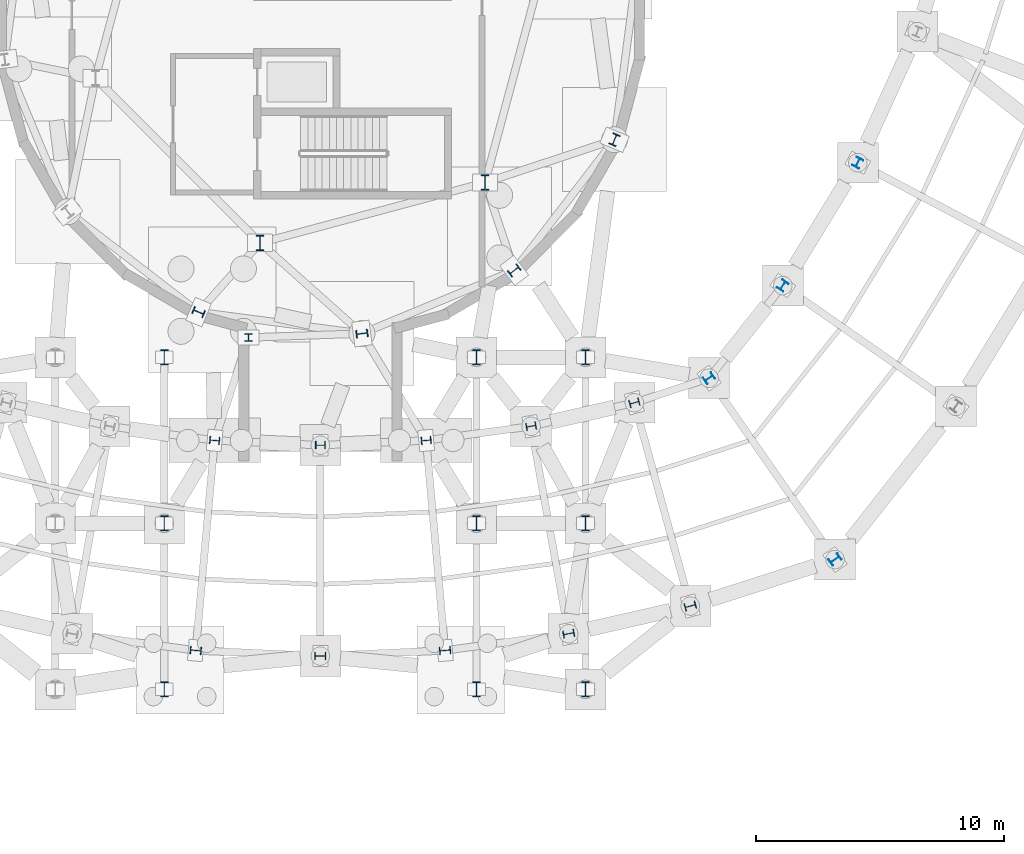
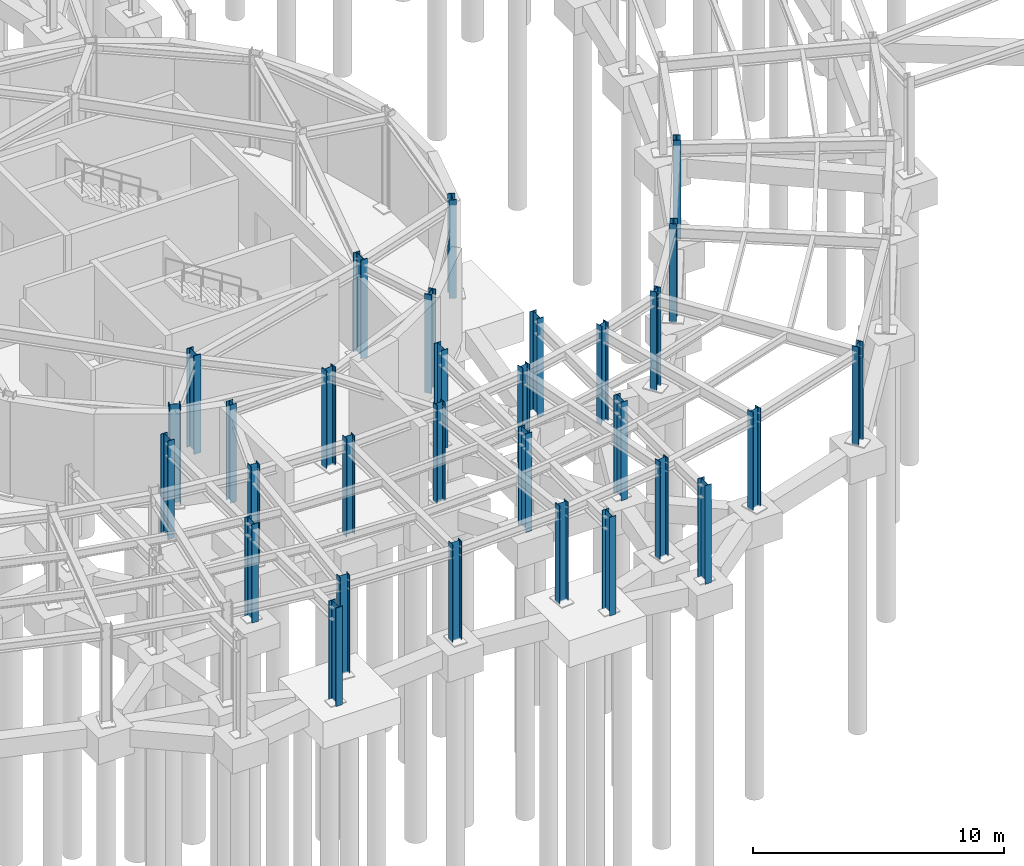
# One storey, part 14 of 50: 30 columns.
"""IFC4 building model written with IfcOpenShell, lengths in metres."""

from ifc_helpers import new_model, si_unit, direction, frame, origin, origin_2d, place, context, subcontext, project, spatial, i_section, extrude, material, material_profile, profile_set, type_object, element, save


model = new_model("IFC4")

# Units and contexts
model_context = context("Model", 3, precision=1e-05, world=origin(), true_north=direction((0.0, 1.0)))
body_context = subcontext(model_context, "Body", "Model", "MODEL_VIEW")
ifc_project = project(units=[si_unit("LENGTHUNIT", "METRE"), si_unit("AREAUNIT", "SQUARE_METRE"), si_unit("VOLUMEUNIT", "CUBIC_METRE"), si_unit("PLANEANGLEUNIT", "RADIAN"), si_unit("MASSUNIT", "GRAM", prefix="KILO")], contexts=[model_context])

# Site, building, storey
site_placement = place(None, origin())
site = spatial("IfcSite", under=ifc_project, at=site_placement, CompositionType="ELEMENT")
building_placement = place(site_placement, origin())
building = spatial("IfcBuilding", under=site, at=building_placement, Name="Varnklinge Art Gallery", CompositionType="ELEMENT")
storey_placement = place(building_placement, frame((0.0, 0.0, -4.800048828125)))
storey = spatial("IfcBuildingStorey", under=building, at=storey_placement, Name="B01", CompositionType="ELEMENT", Elevation=-4.800048828125)

# Columns
ifc_material_1 = material(Name="Steel S355", Category="steel")
ifc_material_profile_1 = material_profile(ifc_material_1, i_section(OverallWidth=0.304931640625, OverallDepth=0.6201171875, WebThickness=0.02099609375, FlangeThickness=0.0400390625, FilletRadius=0.027099609375, at=origin_2d()), Name="HEM 600")
ifc_profile_set_1 = profile_set([ifc_material_profile_1], Name="Steel S355")
column_type_1 = type_object("IfcColumnType", Name="COL-01", PredefinedType="COLUMN", material=ifc_profile_set_1)
for number, where, z_axis, x_axis, name in (
    (1, (73.067138671875, 29.42041015625, 0.0), (0.0, 0.0, 1.0), (1.0, 0.0, 0.0), "B01 Column V4CI-5"),
    (2, (82.146728515625, 31.853271484375, 0.0), (0.0, 0.0, 1.0), (1.0, 0.0, 0.0), "B01 Column V4CI-6"),
):
    element("IfcColumn", number, at=place(storey_placement, frame(where, z_axis=z_axis, x_axis=x_axis)), inside=storey, type_object=column_type_1, Name=name, PredefinedType="COLUMN", context=body_context, shape_type="SweptSolid", body=[
        extrude(i_section(OverallWidth=0.304931640625, OverallDepth=0.6201171875, WebThickness=0.02099609375, FlangeThickness=0.0400390625, FilletRadius=0.027099609375, at=origin_2d()), origin(), (0.0, 0.0, 1.0), 4.800048828125),
    ])
ifc_material_2 = material(Name="Steel S355", Category="steel")
ifc_material_profile_2 = material_profile(ifc_material_2, i_section(OverallWidth=0.306884765625, OverallDepth=0.47802734375, WebThickness=0.02099609375, FlangeThickness=0.0400390625, FilletRadius=0.027099609375, at=origin_2d()), Name="HEM 450")
ifc_profile_set_2 = profile_set([ifc_material_profile_2], Name="Steel S355")
column_type_2 = type_object("IfcColumnType", Name="COL-02", PredefinedType="COLUMN", material=ifc_profile_set_2)
for number, where, z_axis, x_axis, name in (
    (3, (70.58251953125, 26.628173828125, 0.0), (0.0, 0.0, 1.0), (-0.382683432365, -0.923879532511, 0.0), "B01 Column V4CP-09"),
    (4, (77.17724609375, 25.760009765625, 0.0), (0.0, 0.0, 1.0), (0.13052619222, -0.991444861374, 0.0), "B01 Column V4CP-10"),
    (5, (83.322509765625, 28.305419921875, 0.0), (0.0, 0.0, 1.0), (0.608761429009, -0.793353340291, 0.0), "B01 Column V4CP-11"),
    (6, (87.371826171875, 33.58251953125, 0.0), (0.0, 0.0, 1.0), (0.923879532511, -0.382683432365, 0.0), "B01 Column V4CP-12"),
):
    element("IfcColumn", number, at=place(storey_placement, frame(where, z_axis=z_axis, x_axis=x_axis)), inside=storey, type_object=column_type_2, Name=name, PredefinedType="COLUMN", context=body_context, shape_type="SweptSolid", body=[
        extrude(i_section(OverallWidth=0.306884765625, OverallDepth=0.47802734375, WebThickness=0.02099609375, FlangeThickness=0.0400390625, FilletRadius=0.027099609375, at=origin_2d()), origin(), (0.0, 0.0, 1.0), 4.800048828125),
    ])
ifc_material_3 = material(Name="Steel S355", Category="steel")
ifc_material_profile_3 = material_profile(ifc_material_3, i_section(OverallWidth=0.300048828125, OverallDepth=0.60009765625, WebThickness=0.015380859375, FlangeThickness=0.030029296875, FilletRadius=0.027099609375, at=origin_2d()), Name="HEB 600")
ifc_profile_set_3 = profile_set([ifc_material_profile_3], Name="Steel S355")
column_type_3 = type_object("IfcColumnType", Name="COL-04", PredefinedType="COLUMN", material=ifc_profile_set_3)
for number, where, z_axis, x_axis, name in (
    (7, (69.199951171875, 11.39990234375, 0.0), (0.0, 0.0, 1.0), (1.0, 0.0, 0.0), "B01 Column CAN-FC-2"),
    (8, (69.199951171875, 18.10009765625, 0.0), (0.0, 0.0, 1.0), (1.0, 0.0, 0.0), "B01 Column CAN-MB-2"),
    (9, (69.199951171875, 24.800048828125, 0.0), (0.0, 0.0, 1.0), (1.0, 0.0, 0.0), "B01 Column CAN-BK-2"),
    (10, (81.800048828125, 11.39990234375, 0.0), (0.0, 0.0, 1.0), (1.0, 0.0, 0.0), "B01 Column CAN-FC-3"),
    (11, (81.800048828125, 18.10009765625, 0.0), (0.0, 0.0, 1.0), (1.0, 0.0, 0.0), "B01 Column CAN-MB-3"),
    (12, (81.800048828125, 24.800048828125, 0.0), (0.0, 0.0, 1.0), (1.0, 0.0, 0.0), "B01 Column CAN-BK-3"),
    (13, (86.199951171875, 11.39990234375, 0.0), (0.0, 0.0, 1.0), (1.0, 0.0, 0.0), "B01 Column CAN-FC-4"),
    (14, (86.199951171875, 18.10009765625, 0.0), (0.0, 0.0, 1.0), (1.0, 0.0, 0.0), "B01 Column CAN-MB-4"),
    (15, (86.199951171875, 24.800048828125, 0.0), (0.0, 0.0, 1.0), (1.0, 0.0, 0.0), "B01 Column CAN-BK-4"),
):
    element("IfcColumn", number, at=place(storey_placement, frame(where, z_axis=z_axis, x_axis=x_axis)), inside=storey, type_object=column_type_3, Name=name, PredefinedType="COLUMN", context=body_context, shape_type="SweptSolid", body=[
        extrude(i_section(OverallWidth=0.300048828125, OverallDepth=0.60009765625, WebThickness=0.015380859375, FlangeThickness=0.030029296875, FilletRadius=0.027099609375, at=origin_2d()), origin(), (0.0, 0.0, 1.0), 4.800048828125),
    ])
ifc_material_4 = material(Name="Steel S355", Category="steel")
ifc_material_profile_4 = material_profile(ifc_material_4, i_section(OverallWidth=0.300048828125, OverallDepth=0.449951171875, WebThickness=0.013916015625, FlangeThickness=0.02587890625, FilletRadius=0.027099609375, at=origin_2d()), Name="HEB 450")
ifc_profile_set_4 = profile_set([ifc_material_profile_4], Name="Steel S355")
column_type_4 = type_object("IfcColumnType", Name="COL-06", PredefinedType="COLUMN", material=ifc_profile_set_4)
for number, where, z_axis, x_axis, name in (
    (16, (96.27099609375, 16.64013671875, 0.0), (0.0, 0.0, 1.0), (-0.570570241419, 0.821248804935, 0.0), "B01 Column V2CO-01"),
    (17, (70.4697265625, 12.970703125, 0.0), (0.0, 0.0, 1.0), (0.089415810539, 0.995994383933, 0.0), "B01 Column V2CO-36"),
    (18, (75.5, 12.745361328125, 0.0), (0.0, 0.0, 1.0), (0.0, 1.0, 0.0), "B01 Column V2CO-37"),
    (19, (80.5302734375, 12.970703125, 0.0), (0.0, 0.0, 1.0), (-0.089415810539, 0.995994383933, 0.0), "B01 Column V2CO-38"),
    (20, (85.520263671875, 13.64501953125, 0.0), (0.0, 0.0, 1.0), (-0.178115290264, 0.984009625651, 0.0), "B01 Column V2CO-39"),
    (21, (90.4296875, 14.7626953125, 0.0), (0.0, 0.0, 1.0), (-0.265387847052, 0.964141737836, 0.0), "B01 Column V2CO-40"),
):
    element("IfcColumn", number, at=place(storey_placement, frame(where, z_axis=z_axis, x_axis=x_axis)), inside=storey, type_object=column_type_4, Name=name, PredefinedType="COLUMN", context=body_context, shape_type="SweptSolid", body=[
        extrude(i_section(OverallWidth=0.300048828125, OverallDepth=0.449951171875, WebThickness=0.013916015625, FlangeThickness=0.02587890625, FilletRadius=0.027099609375, at=origin_2d()), origin(), (0.0, 0.0, 1.0), 4.800048828125),
    ])
ifc_material_5 = material(Name="Steel S355", Category="steel")
ifc_material_profile_5 = material_profile(ifc_material_5, i_section(OverallWidth=0.300048828125, OverallDepth=0.39990234375, WebThickness=0.013427734375, FlangeThickness=0.02392578125, FilletRadius=0.027099609375, at=origin_2d()), Name="HEB 400")
ifc_profile_set_5 = profile_set([ifc_material_profile_5], Name="Steel S355")
column_type_5 = type_object("IfcColumnType", Name="COL-07", PredefinedType="COLUMN", material=ifc_profile_set_5)
for number, where, z_axis, x_axis, name in (
    (22, (91.185791015625, 23.958984375, 0.0), (0.0, 0.0, 1.0), (-0.570570241419, 0.821248804935, 0.0), "B01 Column V2CI-01"),
    (23, (94.1630859375, 27.6962890625, 0.0), (0.0, 0.0, 1.0), (-0.820351542489, 0.571859551582, 0.0), "B01 Column V2CI-02"),
    (24, (97.189697265625, 32.655517578125, 0.0), (0.0, 0.0, 1.0), (-0.883683947469, 0.468084053333, 0.0), "B01 Column V2CI-03"),
    (25, (71.230712890625, 21.44580078125, 0.0), (0.0, 0.0, 1.0), (0.089415810539, 0.995994383933, 0.0), "B01 Column V2CI-36"),
    (26, (75.5, 21.254638671875, 0.0), (0.0, 0.0, 1.0), (0.0, 1.0, 0.0), "B01 Column V2CI-37"),
    (27, (79.769287109375, 21.44580078125, 0.0), (0.0, 0.0, 1.0), (-0.089415810539, 0.995994383933, 0.0), "B01 Column V2CI-38"),
    (28, (84.00439453125, 22.018310546875, 0.0), (0.0, 0.0, 1.0), (-0.178115290264, 0.984009625651, 0.0), "B01 Column V2CI-39"),
    (29, (88.17138671875, 22.966796875, 0.0), (0.0, 0.0, 1.0), (-0.265387847052, 0.964141737836, 0.0), "B01 Column V2CI-40"),
):
    element("IfcColumn", number, at=place(storey_placement, frame(where, z_axis=z_axis, x_axis=x_axis)), inside=storey, type_object=column_type_5, Name=name, PredefinedType="COLUMN", context=body_context, shape_type="SweptSolid", body=[
        extrude(i_section(OverallWidth=0.300048828125, OverallDepth=0.39990234375, WebThickness=0.013427734375, FlangeThickness=0.02392578125, FilletRadius=0.027099609375, at=origin_2d()), origin(), (0.0, 0.0, 1.0), 4.800048828125),
    ])
ifc_material_6 = material(Name="Steel S355", Category="steel")
ifc_material_profile_6 = material_profile(ifc_material_6, i_section(OverallWidth=0.300048828125, OverallDepth=0.320068359375, WebThickness=0.011474609375, FlangeThickness=0.0205078125, FilletRadius=0.027099609375, at=origin_2d()), Name="HEB 320")
ifc_profile_set_6 = profile_set([ifc_material_profile_6], Name="Steel S355")
column_type_6 = type_object("IfcColumnType", Name="COL-09", PredefinedType="COLUMN", material=ifc_profile_set_6)
column_placement = place(storey_placement, frame((72.60009765625, 25.60009765625, 0.0), z_axis=(0.0, 0.0, 1.0), x_axis=(1.0, 0.0, 0.0)))
element("IfcColumn", 30, at=column_placement, inside=storey, type_object=column_type_6, Name="B01 Column LNK-V4S-C4", PredefinedType="COLUMN", context=body_context, shape_type="SweptSolid", body=[
    extrude(i_section(OverallWidth=0.300048828125, OverallDepth=0.320068359375, WebThickness=0.011474609375, FlangeThickness=0.0205078125, FilletRadius=0.027099609375, at=origin_2d()), origin(), (0.0, 0.0, 1.0), 4.800048828125),
])

save(model, "model.ifc")
